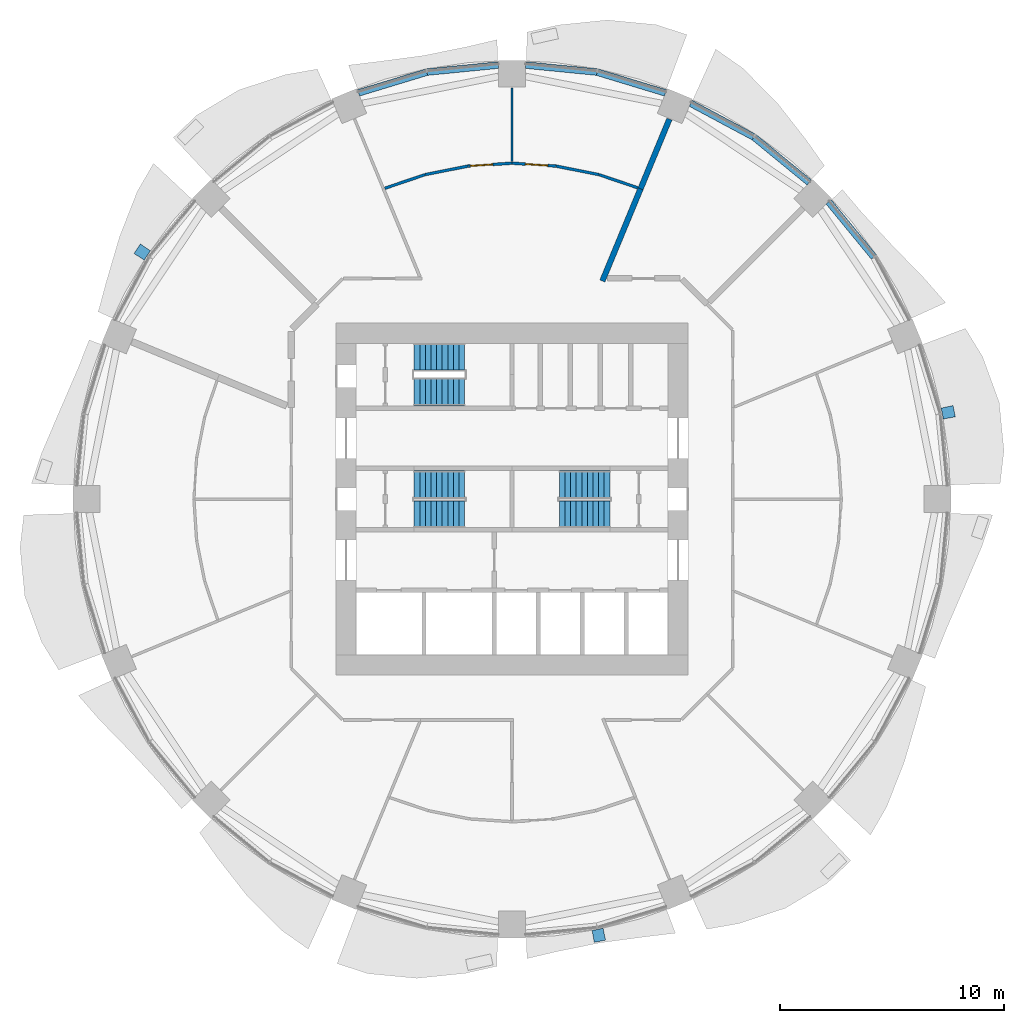
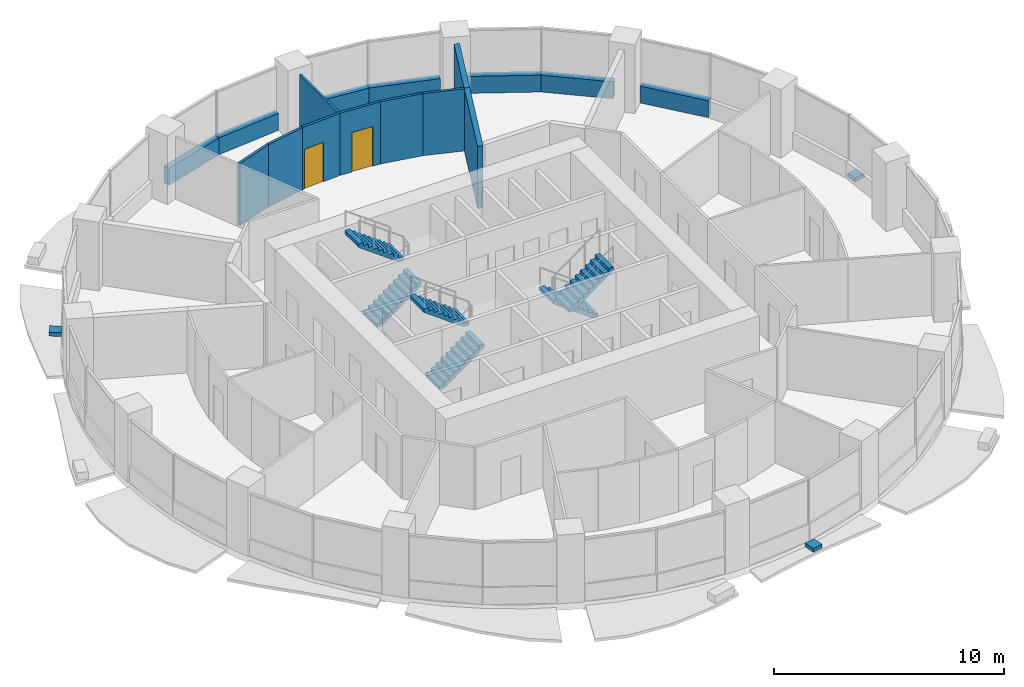
# One storey, part 11 of 15: 16 walls, 6 stair flights, 3 discrete accessories, 2 doors, 2 openings, 3 elements without a shape of their own.
"""IFC4 building model written with IfcOpenShell, lengths in metres."""

from ifc_helpers import new_model, si_unit, direction, frame, frame_2d, origin, place, context, subcontext, project, spatial, polyline, rectangle, outline, extrude, material, layer, layer_set, type_object, element, fill, aggregate, save


model = new_model("IFC4")

# Units and contexts
model_context = context("Model", 3, precision=1e-05, world=origin(), true_north=direction((0.0, 1.0)))
body_context = subcontext(model_context, "Body", "Model", "MODEL_VIEW")
ifc_project = project(units=[si_unit("LENGTHUNIT", "METRE"), si_unit("AREAUNIT", "SQUARE_METRE"), si_unit("VOLUMEUNIT", "CUBIC_METRE"), si_unit("PLANEANGLEUNIT", "RADIAN"), si_unit("MASSUNIT", "GRAM", prefix="KILO")], contexts=[model_context])

# Site, building, storey
site_placement = place(None, origin())
site = spatial("IfcSite", under=ifc_project, at=site_placement, CompositionType="ELEMENT")
building_placement = place(site_placement, origin())
building = spatial("IfcBuilding", under=site, at=building_placement, Name="Polderwave Tower", CompositionType="ELEMENT")
storey_placement = place(building_placement, frame((0.0, 0.0, 48.10009765625)))
storey = spatial("IfcBuildingStorey", under=building, at=storey_placement, Name="L12", CompositionType="ELEMENT", Elevation=48.10009765625)

# Walls
ifc_material_1 = material(Name="Concrete C50/60 (board-marked)", Category="concrete")
ifc_layer_1 = layer(ifc_material_1, 0.300048828125)
ifc_layer_set_1 = layer_set([ifc_layer_1], Name="Concrete spandrel upstand C50/60")
wall_type_1 = type_object("IfcWallType", Name="Concrete spandrel upstand C50/60", PredefinedType="SOLIDWALL", material=ifc_layer_set_1)
for number, where, z_axis, x_axis, name in (
    (1, (16.1875, 10.83349609375, 0.0), (0.0, 0.0, 1.0), (-0.634229767652, 0.773144618958, 0.0), "Spandrel L12 2b"),
    (2, (13.29833984375, 14.16552734375, 0.0), (0.0, 0.0, 1.0), (-0.773144618958, 0.634229767652, 0.0), "Spandrel L12 3a"),
):
    element("IfcWall", number, at=place(storey_placement, frame(where, z_axis=z_axis, x_axis=x_axis)), inside=storey, type_object=wall_type_1, Name=name, PredefinedType="SOLIDWALL", context=body_context, shape_type="SweptSolid", body=[
        extrude(rectangle(XDim=3.18798828125, YDim=0.300048828125, at=frame_2d((1.593994140625, 0.0))), origin(), (0.0, 0.0, 1.0), 0.89990234375),
    ])
wall_1_placement = place(storey_placement, frame((10.808837890625, 16.2041015625, 0.0), z_axis=(0.0, 0.0, 1.0), x_axis=(-0.881994263934, 0.471260138764, 0.0)))
element("IfcWall", 3, at=wall_1_placement, inside=storey, type_object=wall_type_1, Name="Spandrel L12 3b", PredefinedType="SOLIDWALL", context=body_context, shape_type="SweptSolid", body=[
    extrude(rectangle(XDim=3.1865234375, YDim=0.300048828125, at=frame_2d((1.59326171875, 0.0))), origin(), (0.0, 0.0, 1.0), 0.89990234375),
])
wall_2_placement = place(storey_placement, frame((6.864501953125, 18.17529296875, 0.0), z_axis=(0.0, 0.0, 1.0), x_axis=(-0.956849017819, 0.290585541792, 0.0)))
element("IfcWall", 4, at=wall_2_placement, inside=storey, type_object=wall_type_1, Name="Spandrel L12 4a", PredefinedType="SOLIDWALL", context=body_context, shape_type="SweptSolid", body=[
    extrude(rectangle(XDim=3.1875, YDim=0.300048828125, at=frame_2d((1.59375, 0.0))), origin(), (0.0, 0.0, 1.0), 0.89990234375),
])
for number, where, z_axis, x_axis, name in (
    (5, (3.78515625, 19.107421875, 0.0), (0.0, 0.0, 1.0), (-0.995198144732, 0.097880808755, 0.0), "Spandrel L12 4b"),
    (6, (-0.61279296875, 19.41943359375, 0.0), (0.0, 0.0, 1.0), (-0.995198144732, -0.097880808755, 0.0), "Spandrel L12 5a"),
):
    element("IfcWall", number, at=place(storey_placement, frame(where, z_axis=z_axis, x_axis=x_axis)), inside=storey, type_object=wall_type_1, Name=name, PredefinedType="SOLIDWALL", context=body_context, shape_type="SweptSolid", body=[
        extrude(rectangle(XDim=3.187744140625, YDim=0.300048828125, at=frame_2d((1.59375, 0.0))), origin(), (0.0, 0.0, 1.0), 0.89990234375),
    ])
wall_3_placement = place(storey_placement, frame((-3.814453125, 19.1015625, 0.0), z_axis=(0.0, 0.0, 1.0), x_axis=(-0.956849017819, -0.290585541792, 0.0)))
element("IfcWall", 7, at=wall_3_placement, inside=storey, type_object=wall_type_1, Name="Spandrel L12 5b", PredefinedType="SOLIDWALL", context=body_context, shape_type="SweptSolid", body=[
    extrude(rectangle(XDim=3.1875, YDim=0.300048828125, at=frame_2d((1.59375, 0.0))), origin(), (0.0, 0.0, 1.0), 0.89990234375),
])

# Wall, opening, door
ifc_material_2 = material(Name="Fire-resisting board on steel studs", Category="steel")
ifc_layer_2 = layer(ifc_material_2, 0.125)
ifc_layer_set_2 = layer_set([ifc_layer_2], Name="Corridor wall 125 mm EI 60")
wall_type_2 = type_object("IfcWallType", Name="Corridor wall 125 mm EI 60", PredefinedType="PARTITIONING", material=ifc_layer_set_2)
wall_4_placement = place(storey_placement, frame((0.0, 15.030029296875, 0.0), z_axis=(0.0, 0.0, 1.0), x_axis=(0.997855616904, -0.065453554619, 0.0)))
wall_4 = element("IfcWall", 8, at=wall_4_placement, inside=storey, type_object=wall_type_2, Name="IN-L12-W035", PredefinedType="PARTITIONING", context=body_context, shape_type="SweptSolid", body=[
    extrude(rectangle(XDim=1.9619140625, YDim=0.125, at=frame_2d((0.98095703125, 0.0))), origin(), (0.0, 0.0, 1.0), 3.2998046875),
])
opening_1_placement = place(wall_4_placement, frame((0.60009765625, 0.0, 0.0)))
opening_1 = element("IfcOpeningElement", 9, at=opening_1_placement, cuts=wall_4, Name="Opening L12-D63", PredefinedType="OPENING", context=body_context, shape_type="SweptSolid", body=[
    extrude(rectangle(XDim=1.0, YDim=2.10009765625, at=frame_2d((0.5, 1.050048828125))), frame((0.0, 0.072509765625, 0.0), z_axis=(0.0, -1.0, 0.0), x_axis=(1.0, 0.0, 0.0)), (0.0, 0.0, 1.0), 0.14501953125),
])
ifc_material_3 = material(Name="Timber fire door leaf", Category="wood")
door_type = type_object("IfcDoorType", Name="Fire door FD30S 1000 x 2100", OperationType="NOTDEFINED", PredefinedType="DOOR", material=ifc_material_3)
door_1_placement = place(opening_1_placement, origin())
door_1 = element("IfcDoor", 10, at=door_1_placement, inside=storey, type_object=door_type, Name="Door L12-D63", OperationType="SINGLE_SWING_RIGHT", OverallHeight=2.10009765625, OverallWidth=1.0, PredefinedType="DOOR", context=body_context, shape_type="SweptSolid", body=[
    extrude(rectangle(XDim=1.0, YDim=2.10009765625, at=frame_2d((0.5, 1.050048828125))), frame((0.0, 0.02490234375, 0.0), z_axis=(0.0, -1.0, 0.0), x_axis=(1.0, 0.0, 0.0)), (0.0, 0.0, 1.0), 0.050048828125),
])
fill(opening_1, door_1)

# Walls
wall_5_placement = place(storey_placement, frame((1.9658203125, 14.900634765625, 0.0), z_axis=(0.0, 0.0, 1.0), x_axis=(0.980795915473, -0.19503684829, 0.0)))
element("IfcWall", 11, at=wall_5_placement, inside=storey, type_object=wall_type_2, Name="IN-L12-W036", PredefinedType="PARTITIONING", context=body_context, shape_type="SweptSolid", body=[
    extrude(rectangle(XDim=1.957763671875, YDim=0.125, at=frame_2d((0.97900390625, 0.0))), origin(), (0.0, 0.0, 1.0), 3.2998046875),
])
wall_6_placement = place(storey_placement, frame((3.89404296875, 14.5166015625, 0.0), z_axis=(0.0, 0.0, 1.0), x_axis=(0.946909907848, -0.321499030201, 0.0)))
element("IfcWall", 12, at=wall_6_placement, inside=storey, type_object=wall_type_2, Name="IN-L12-W037", PredefinedType="PARTITIONING", context=body_context, shape_type="SweptSolid", body=[
    extrude(rectangle(XDim=1.832275390625, YDim=0.125, at=frame_2d((0.916015625, 0.0))), origin(), (0.0, 0.0, 1.0), 3.2998046875),
])
wall_7_placement = place(storey_placement, frame((-5.6884765625, 13.907470703125, 0.0), z_axis=(0.0, 0.0, 1.0), x_axis=(0.946929690395, 0.321440758848, 0.0)))
element("IfcWall", 13, at=wall_7_placement, inside=storey, type_object=wall_type_2, Name="IN-L12-W039", PredefinedType="PARTITIONING", context=body_context, shape_type="SweptSolid", body=[
    extrude(rectangle(XDim=1.89501953125, YDim=0.125, at=frame_2d((0.947509765625, 0.0))), origin(), (0.0, 0.0, 1.0), 3.2998046875),
])
wall_8_placement = place(storey_placement, frame((-3.885986328125, 14.518798828125, 0.0), z_axis=(0.0, 0.0, 1.0), x_axis=(0.980795915473, 0.19503684829, 0.0)))
element("IfcWall", 14, at=wall_8_placement, inside=storey, type_object=wall_type_2, Name="IN-L12-W040", PredefinedType="PARTITIONING", context=body_context, shape_type="SweptSolid", body=[
    extrude(rectangle(XDim=1.957763671875, YDim=0.125, at=frame_2d((0.97900390625, 0.0))), origin(), (0.0, 0.0, 1.0), 3.2998046875),
])

# Wall, opening, door
wall_9_placement = place(storey_placement, frame((-1.957763671875, 14.901611328125, 0.0), z_axis=(0.0, 0.0, 1.0), x_axis=(0.997855616904, 0.065453554619, 0.0)))
wall_9 = element("IfcWall", 15, at=wall_9_placement, inside=storey, type_object=wall_type_2, Name="IN-L12-W041", PredefinedType="PARTITIONING", context=body_context, shape_type="SweptSolid", body=[
    extrude(rectangle(XDim=1.9619140625, YDim=0.125, at=frame_2d((0.98095703125, 0.0))), origin(), (0.0, 0.0, 1.0), 3.2998046875),
])
opening_2_placement = place(wall_9_placement, frame((0.10009765625, 0.0, 0.0)))
opening_2 = element("IfcOpeningElement", 16, at=opening_2_placement, cuts=wall_9, Name="Opening L12-D64", PredefinedType="OPENING", context=body_context, shape_type="SweptSolid", body=[
    extrude(rectangle(XDim=1.0, YDim=2.10009765625, at=frame_2d((0.5, 1.050048828125))), frame((0.0, 0.072509765625, 0.0), z_axis=(0.0, -1.0, 0.0), x_axis=(1.0, 0.0, 0.0)), (0.0, 0.0, 1.0), 0.14501953125),
])
door_2_placement = place(opening_2_placement, origin())
door_2 = element("IfcDoor", 17, at=door_2_placement, inside=storey, type_object=door_type, Name="Door L12-D64", OperationType="SINGLE_SWING_LEFT", OverallHeight=2.10009765625, OverallWidth=1.0, PredefinedType="DOOR", context=body_context, shape_type="SweptSolid", body=[
    extrude(rectangle(XDim=1.0, YDim=2.10009765625, at=frame_2d((0.5, 1.050048828125))), frame((0.0, 0.02490234375, 0.0), z_axis=(0.0, -1.0, 0.0), x_axis=(1.0, 0.0, 0.0)), (0.0, 0.0, 1.0), 0.050048828125),
])
fill(opening_2, door_2)

# Walls
ifc_material_4 = material(Name="Acoustic double plasterboard on steel studs", Category="steel")
ifc_layer_3 = layer(ifc_material_4, 0.110107421875)
ifc_layer_set_3 = layer_set([ifc_layer_3], Name="Partition 110 mm acoustic double board")
wall_type_3 = type_object("IfcWallType", Name="Partition 110 mm acoustic double board", PredefinedType="PARTITIONING", material=ifc_layer_set_3)
wall_10_placement = place(storey_placement, frame((0.0, 15.09619140625, 0.0), z_axis=(0.0, 0.0, 1.0), x_axis=(0.0, 1.0, 0.0)))
element("IfcWall", 18, at=wall_10_placement, inside=storey, type_object=wall_type_3, Name="IN-L12-W038", PredefinedType="PARTITIONING", context=body_context, shape_type="SweptSolid", body=[
    extrude(rectangle(XDim=3.3037109375, YDim=0.110107421875, at=frame_2d((1.65185546875, 0.0))), origin(), (0.0, 0.0, 1.0), 3.2998046875),
])
ifc_material_5 = material(Name="Fire-resisting board on steel studs, mineral wool", Category="steel")
ifc_layer_4 = layer(ifc_material_5, 0.25)
ifc_layer_set_4 = layer_set([ifc_layer_4], Name="Plant room wall 250 mm EI 120")
wall_type_4 = type_object("IfcWallType", Name="Plant room wall 250 mm EI 120", PredefinedType="PARTITIONING", material=ifc_layer_set_4)
wall_11_placement = place(storey_placement, frame((4.0419921875, 9.758544921875, 0.0), z_axis=(0.0, 0.0, 1.0), x_axis=(0.382697682956, 0.923873629595, 0.0)))
element("IfcWall", 19, at=wall_11_placement, inside=storey, type_object=wall_type_4, Name="IN-L12-W033", PredefinedType="PARTITIONING", context=body_context, shape_type="SweptSolid", body=[
    extrude(rectangle(XDim=4.467529296875, YDim=0.25, at=frame_2d((2.23388671875, 0.0))), origin(), (0.0, 0.0, 1.0), 3.2998046875),
])
wall_12_placement = place(storey_placement, frame((5.751708984375, 13.885986328125, 0.0), z_axis=(0.0, 0.0, 1.0), x_axis=(0.382716478617, 0.923865843613, 0.0)))
element("IfcWall", 20, at=wall_12_placement, inside=storey, type_object=wall_type_4, Name="IN-L12-W034", PredefinedType="PARTITIONING", context=body_context, shape_type="SweptSolid", body=[
    extrude(rectangle(XDim=3.3701171875, YDim=0.25, at=frame_2d((1.68505859375, 0.0))), origin(), (0.0, 0.0, 1.0), 3.2998046875),
])

# Stair, stair flights
ifc_material_6 = material(Name="Concrete C40/50", Category="concrete")
stair_type = type_object("IfcStairType", Name="Exit stair 1200 x 20 risers", PredefinedType="HALF_TURN_STAIR", material=ifc_material_6)
stair_1_placement = place(storey_placement, origin())
stair_1 = element("IfcStair", 21, at=stair_1_placement, inside=storey, type_object=stair_type, Name="L12 Exit stair A", PredefinedType="HALF_TURN_STAIR")
stair_flight_type = type_object("IfcStairFlightType", Name="Stair flight 1200", PredefinedType="STRAIGHT", material=ifc_material_6)
stair_flight_1_placement = place(storey_placement, frame((-4.3740234375, -0.675048828125, 0.0), z_axis=(0.0, 0.0, 1.0), x_axis=(1.0, 0.0, 0.0)))
stair_flight_1 = element("IfcStairFlight", 22, at=stair_flight_1_placement, type_object=stair_flight_type, Name="ST-A flight 1", NumberOfRisers=10, NumberOfTreads=9, PredefinedType="STRAIGHT", RiserHeight=0.1825, TreadLength=0.25, context=body_context, shape_type="SweptSolid", body=[
    extrude(outline(polyline([(0.0, 0.0), (0.0, 0.1826171875), (0.25, 0.1826171875), (0.25, 0.364990234375), (0.5, 0.364990234375), (0.5, 0.547607421875), (0.75, 0.547607421875), (0.75, 0.72998046875), (1.0, 0.72998046875), (1.0, 0.91259765625), (1.25, 0.91259765625), (1.25, 1.094970703125), (1.5, 1.094970703125), (1.5, 1.277587890625), (1.75, 1.277587890625), (1.75, 1.4599609375), (2.0, 1.4599609375), (2.0, 1.642578125), (2.25, 1.642578125), (2.25, 1.824951171875), (2.25, 1.456787109375), (0.254150390625, 0.0), (0.0, 0.0)])), frame((0.0, 0.60009765625, 0.0), z_axis=(0.0, -1.0, 0.0), x_axis=(1.0, 0.0, 0.0)), (0.0, 0.0, 1.0), 1.199951171875),
])
stair_flight_2_placement = place(storey_placement, frame((-2.1240234375, 0.675048828125, 1.824951171875), z_axis=(0.0, 0.0, 1.0), x_axis=(-1.0, 0.0, 0.0)))
stair_flight_2 = element("IfcStairFlight", 23, at=stair_flight_2_placement, type_object=stair_flight_type, Name="ST-A flight 2", NumberOfRisers=10, NumberOfTreads=9, PredefinedType="STRAIGHT", RiserHeight=0.1825, TreadLength=0.25, context=body_context, shape_type="SweptSolid", body=[
    extrude(outline(polyline([(0.0, 0.0), (0.0, 0.1826171875), (0.25, 0.1826171875), (0.25, 0.364990234375), (0.5, 0.364990234375), (0.5, 0.547607421875), (0.75, 0.547607421875), (0.75, 0.72998046875), (1.0, 0.72998046875), (1.0, 0.91259765625), (1.25, 0.91259765625), (1.25, 1.094970703125), (1.5, 1.094970703125), (1.5, 1.277587890625), (1.75, 1.277587890625), (1.75, 1.4599609375), (2.0, 1.4599609375), (2.0, 1.642578125), (2.25, 1.642578125), (2.25, 1.824951171875), (2.25, 1.456787109375), (0.254150390625, 0.0), (0.0, 0.0)])), frame((0.0, 0.60009765625, 0.0), z_axis=(0.0, -1.0, 0.0), x_axis=(1.0, 0.0, 0.0)), (0.0, 0.0, 1.0), 1.199951171875),
])
aggregate(stair_1, [stair_flight_1, stair_flight_2])

stair_2_placement = place(storey_placement, origin())
stair_2 = element("IfcStair", 24, at=stair_2_placement, inside=storey, type_object=stair_type, Name="L12 Exit stair B", PredefinedType="HALF_TURN_STAIR")
stair_flight_3_placement = place(storey_placement, frame((4.3740234375, 0.675048828125, 0.0), z_axis=(0.0, 0.0, 1.0), x_axis=(-1.0, 0.0, 0.0)))
stair_flight_3 = element("IfcStairFlight", 25, at=stair_flight_3_placement, type_object=stair_flight_type, Name="ST-B flight 1", NumberOfRisers=10, NumberOfTreads=9, PredefinedType="STRAIGHT", RiserHeight=0.1825, TreadLength=0.25, context=body_context, shape_type="SweptSolid", body=[
    extrude(outline(polyline([(0.0, 0.0), (0.0, 0.1826171875), (0.25, 0.1826171875), (0.25, 0.364990234375), (0.5, 0.364990234375), (0.5, 0.547607421875), (0.75, 0.547607421875), (0.75, 0.72998046875), (1.0, 0.72998046875), (1.0, 0.91259765625), (1.25, 0.91259765625), (1.25, 1.094970703125), (1.5, 1.094970703125), (1.5, 1.277587890625), (1.75, 1.277587890625), (1.75, 1.4599609375), (2.0, 1.4599609375), (2.0, 1.642578125), (2.25, 1.642578125), (2.25, 1.824951171875), (2.25, 1.456787109375), (0.254150390625, 0.0), (0.0, 0.0)])), frame((0.0, 0.60009765625, 0.0), z_axis=(0.0, -1.0, 0.0), x_axis=(1.0, 0.0, 0.0)), (0.0, 0.0, 1.0), 1.199951171875),
])
stair_flight_4_placement = place(storey_placement, frame((2.1240234375, -0.675048828125, 1.824951171875), z_axis=(0.0, 0.0, 1.0), x_axis=(1.0, 0.0, 0.0)))
stair_flight_4 = element("IfcStairFlight", 26, at=stair_flight_4_placement, type_object=stair_flight_type, Name="ST-B flight 2", NumberOfRisers=10, NumberOfTreads=9, PredefinedType="STRAIGHT", RiserHeight=0.1825, TreadLength=0.25, context=body_context, shape_type="SweptSolid", body=[
    extrude(outline(polyline([(0.0, 0.0), (0.0, 0.1826171875), (0.25, 0.1826171875), (0.25, 0.364990234375), (0.5, 0.364990234375), (0.5, 0.547607421875), (0.75, 0.547607421875), (0.75, 0.72998046875), (1.0, 0.72998046875), (1.0, 0.91259765625), (1.25, 0.91259765625), (1.25, 1.094970703125), (1.5, 1.094970703125), (1.5, 1.277587890625), (1.75, 1.277587890625), (1.75, 1.4599609375), (2.0, 1.4599609375), (2.0, 1.642578125), (2.25, 1.642578125), (2.25, 1.824951171875), (2.25, 1.456787109375), (0.254150390625, 0.0), (0.0, 0.0)])), frame((0.0, 0.60009765625, 0.0), z_axis=(0.0, -1.0, 0.0), x_axis=(1.0, 0.0, 0.0)), (0.0, 0.0, 1.0), 1.199951171875),
])
aggregate(stair_2, [stair_flight_3, stair_flight_4])

stair_3_placement = place(storey_placement, origin())
stair_3 = element("IfcStair", 27, at=stair_3_placement, inside=storey, type_object=stair_type, Name="L12 Exit stair C", PredefinedType="HALF_TURN_STAIR")
stair_flight_5_placement = place(storey_placement, frame((-4.3740234375, 4.77392578125, 0.0), z_axis=(0.0, 0.0, 1.0), x_axis=(1.0, 0.0, 0.0)))
stair_flight_5 = element("IfcStairFlight", 28, at=stair_flight_5_placement, type_object=stair_flight_type, Name="ST-C flight 1", NumberOfRisers=10, NumberOfTreads=9, PredefinedType="STRAIGHT", RiserHeight=0.1825, TreadLength=0.25, context=body_context, shape_type="SweptSolid", body=[
    extrude(outline(polyline([(0.0, 0.0), (0.0, 0.1826171875), (0.25, 0.1826171875), (0.25, 0.364990234375), (0.5, 0.364990234375), (0.5, 0.547607421875), (0.75, 0.547607421875), (0.75, 0.72998046875), (1.0, 0.72998046875), (1.0, 0.91259765625), (1.25, 0.91259765625), (1.25, 1.094970703125), (1.5, 1.094970703125), (1.5, 1.277587890625), (1.75, 1.277587890625), (1.75, 1.4599609375), (2.0, 1.4599609375), (2.0, 1.642578125), (2.25, 1.642578125), (2.25, 1.824951171875), (2.25, 1.456787109375), (0.254150390625, 0.0), (0.0, 0.0)])), frame((0.0, 0.60009765625, 0.0), z_axis=(0.0, -1.0, 0.0), x_axis=(1.0, 0.0, 0.0)), (0.0, 0.0, 1.0), 1.199951171875),
])
stair_flight_6_placement = place(storey_placement, frame((-2.1240234375, 6.3740234375, 1.824951171875), z_axis=(0.0, 0.0, 1.0), x_axis=(-1.0, 0.0, 0.0)))
stair_flight_6 = element("IfcStairFlight", 29, at=stair_flight_6_placement, type_object=stair_flight_type, Name="ST-C flight 2", NumberOfRisers=10, NumberOfTreads=9, PredefinedType="STRAIGHT", RiserHeight=0.1825, TreadLength=0.25, context=body_context, shape_type="SweptSolid", body=[
    extrude(outline(polyline([(0.0, 0.0), (0.0, 0.1826171875), (0.25, 0.1826171875), (0.25, 0.364990234375), (0.5, 0.364990234375), (0.5, 0.547607421875), (0.75, 0.547607421875), (0.75, 0.72998046875), (1.0, 0.72998046875), (1.0, 0.91259765625), (1.25, 0.91259765625), (1.25, 1.094970703125), (1.5, 1.094970703125), (1.5, 1.277587890625), (1.75, 1.277587890625), (1.75, 1.4599609375), (2.0, 1.4599609375), (2.0, 1.642578125), (2.25, 1.642578125), (2.25, 1.824951171875), (2.25, 1.456787109375), (0.254150390625, 0.0), (0.0, 0.0)])), frame((0.0, 0.60009765625, 0.0), z_axis=(0.0, -1.0, 0.0), x_axis=(1.0, 0.0, 0.0)), (0.0, 0.0, 1.0), 1.199951171875),
])
aggregate(stair_3, [stair_flight_5, stair_flight_6])

# Discrete accessories
ifc_material_7 = material(Name="Steel S355", Category="steel")
discrete_accessory_type = type_object("IfcDiscreteAccessoryType", Name="Band bracket pad", PredefinedType="BRACKET", material=ifc_material_7)
discrete_accessory_1_placement = place(storey_placement, frame((0.0, 0.0, -0.2001953125)))
element("IfcDiscreteAccessory", 30, at=discrete_accessory_1_placement, inside=storey, type_object=discrete_accessory_type, Name="Band bracket L12 1", PredefinedType="BRACKET", context=body_context, shape_type="SweptSolid", body=[
    extrude(outline(polyline([(19.28955078125, 3.582275390625), (19.252685546875, 3.82958984375), (19.192138671875, 4.072021484375), (19.72998046875, 4.186279296875), (19.830322265625, 3.682861328125), (19.28955078125, 3.582275390625)])), origin(), (0.0, 0.0, 1.0), 0.2001953125),
])
discrete_accessory_2_placement = place(storey_placement, frame((0.0, 0.0, -0.2001953125)))
element("IfcDiscreteAccessory", 31, at=discrete_accessory_2_placement, inside=storey, type_object=discrete_accessory_type, Name="Band bracket L12 7", PredefinedType="BRACKET", context=body_context, shape_type="SweptSolid", body=[
    extrude(outline(polyline([(-16.1728515625, 11.106689453125), (-16.32177734375, 10.90576171875), (-16.4501953125, 10.69140625), (-16.911376953125, 10.9912109375), (-16.626220703125, 11.41796875), (-16.1728515625, 11.106689453125)])), origin(), (0.0, 0.0, 1.0), 0.2001953125),
])
discrete_accessory_3_placement = place(storey_placement, frame((0.0, 0.0, -0.2001953125)))
element("IfcDiscreteAccessory", 32, at=discrete_accessory_3_placement, inside=storey, type_object=discrete_accessory_type, Name="Band bracket L12 13", PredefinedType="BRACKET", context=body_context, shape_type="SweptSolid", body=[
    extrude(outline(polyline([(3.582275390625, -19.28955078125), (3.82958984375, -19.252685546875), (4.072021484375, -19.192138671875), (4.186279296875, -19.72998046875), (3.682861328125, -19.830322265625), (3.582275390625, -19.28955078125)])), origin(), (0.0, 0.0, 1.0), 0.2001953125),
])

save(model, "model.ifc")
